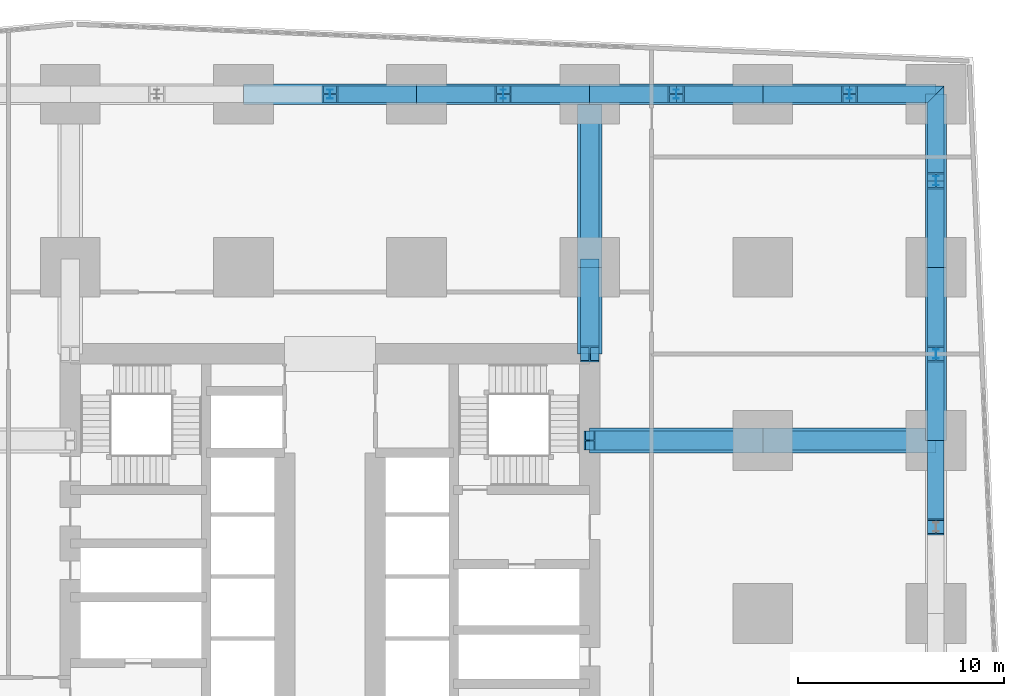
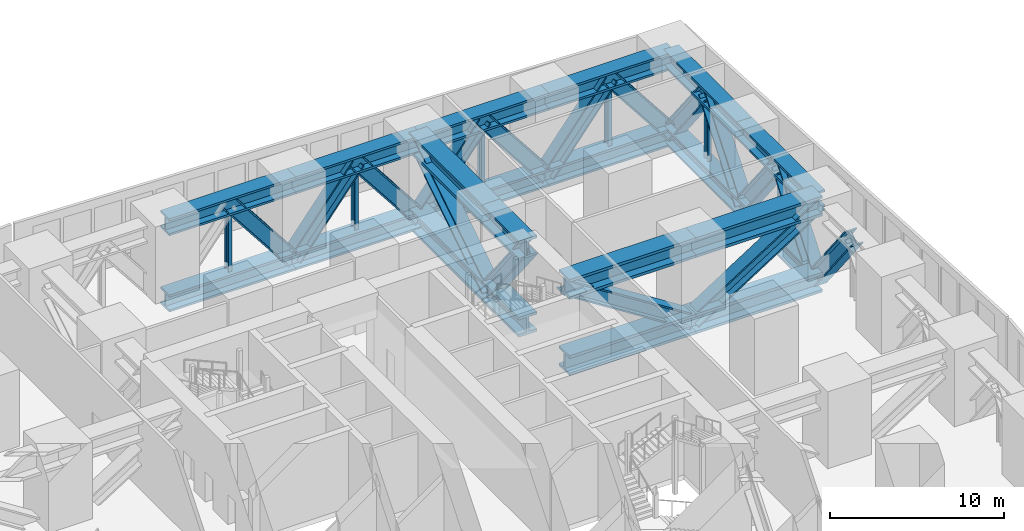
# One storey, part 7 of 16: 42 members.
"""IFC4 building model written with IfcOpenShell, lengths in metres."""

import ifcopenshell
import ifcopenshell.guid

model = None  # the IFC model being written
_history = None  # IfcOwnerHistory: only IFC2X3 demands one
_inside = {}  # id of a spatial element -> (the spatial element, [elements in it])
_under = {}  # id of a project, library or spatial element -> (it, [spatial elements below it])
_declared = {}  # id of a project -> (the project, [libraries it declares])
_typed = {}  # id of a type object -> (the type object, [elements of that type])
_made_of = {}  # id of a material, layer set ... -> (it, [elements and type objects made of it])


def new_model(schema):
    """Start an empty IFC model of exactly this schema.

    Asked for "IFC4X3", IfcOpenShell would pick the latest addendum, in which some entities
    have other attributes; the version numbers below select the first issue.
    IFC2X3 requires an IfcOwnerHistory on every rooted entity: one is made here for all.
    """
    global model, _history
    if schema == "IFC4X3":
        model = ifcopenshell.file(schema_version=(4, 3, 0, 0))
    else:
        model = ifcopenshell.file(schema=schema)
    _inside.clear()
    _under.clear()
    _declared.clear()
    _typed.clear()
    _made_of.clear()
    _history = None
    if model.schema == "IFC2X3":
        org = make("IfcOrganization", Name="unknown")
        user = make(
            "IfcPersonAndOrganization",
            ThePerson=make("IfcPerson", FamilyName="unknown"),
            TheOrganization=org,
        )
        app = make(
            "IfcApplication",
            ApplicationDeveloper=org,
            Version="unknown",
            ApplicationFullName="unknown",
            ApplicationIdentifier="unknown",
        )
        _history = make(
            "IfcOwnerHistory",
            OwningUser=user,
            OwningApplication=app,
            ChangeAction="ADDED",
            CreationDate=0,
        )
    return model


def make(cls, **values):
    """One entity of the class cls with the attributes given. An attribute that is None is left unset."""
    return model.create_entity(
        cls, **{name: value for name, value in values.items() if value is not None}
    )


def rooted(cls, **values):
    """An entity with a GlobalId (a new one), such as an element, a storey or a relation."""
    return make(cls, GlobalId=ifcopenshell.guid.new(), OwnerHistory=_history, **values)


def si_unit(unit_type, name, prefix=None):
    """IfcSIUnit, for example si_unit("LENGTHUNIT", "METRE", prefix="MILLI")."""
    return make("IfcSIUnit", UnitType=unit_type, Prefix=prefix, Name=name)


def assignment(units):
    """IfcUnitAssignment: the units of a project."""
    return None if units is None else make("IfcUnitAssignment", Units=units)


def point(xyz):
    """IfcCartesianPoint."""
    return None if xyz is None else make("IfcCartesianPoint", Coordinates=xyz)


def direction(xyz):
    """IfcDirection."""
    return None if xyz is None else make("IfcDirection", DirectionRatios=xyz)


def frame(location, z_axis=None, x_axis=None):
    """IfcAxis2Placement3D, a coordinate frame: its origin and axes. An axis left out is left unset."""
    return make(
        "IfcAxis2Placement3D",
        Location=point(location),
        Axis=direction(z_axis),
        RefDirection=direction(x_axis),
    )


def frame_2d(location, x_axis=None):
    """IfcAxis2Placement2D, a coordinate frame in the plane: its origin and x axis."""
    return make(
        "IfcAxis2Placement2D", Location=point(location), RefDirection=direction(x_axis)
    )


def origin():
    """The frame at (0, 0, 0) with its axes left unset."""
    return frame((0.0, 0.0, 0.0))


def origin_2d():
    """The frame at (0, 0) in the plane with its x axis left unset."""
    return frame_2d((0.0, 0.0))


def place(relative_to, where):
    """IfcLocalPlacement: puts the frame where relative to a parent placement (None: the world)."""
    return make(
        "IfcLocalPlacement", PlacementRelTo=relative_to, RelativePlacement=where
    )


def context(
    kind, dimensions, precision=None, world=None, true_north=None, identifier=None
):
    """IfcGeometricRepresentationContext, for example the 3D "Model" context."""
    return make(
        "IfcGeometricRepresentationContext",
        ContextIdentifier=identifier,
        ContextType=kind,
        CoordinateSpaceDimension=dimensions,
        Precision=precision,
        WorldCoordinateSystem=world,
        TrueNorth=true_north,
    )


def subcontext(parent, identifier, kind, view, scale=None):
    """IfcGeometricRepresentationSubContext, for example "Body" below "Model"."""
    return make(
        "IfcGeometricRepresentationSubContext",
        ContextIdentifier=identifier,
        ContextType=kind,
        ParentContext=parent,
        TargetScale=scale,
        TargetView=view,
    )


def project(units=None, contexts=None):
    """IfcProject with its units and contexts."""
    return rooted(
        "IfcProject",
        Name="project",
        RepresentationContexts=contexts,
        UnitsInContext=assignment(units),
    )


def spatial(cls, under=None, at=None, **own):
    """A site, building, storey or space (cls), placed at a placement, below another one or the project."""
    s = rooted(cls, ObjectPlacement=at, **own)
    if under is not None:
        _under.setdefault(under.id(), (under, []))[1].append(s)
    return s


def profile(cls, at=None, kind="AREA", **sizes):
    """A parametric profile (cls). Its sizes go by their IFC names, for example OverallWidth=200.0."""
    return make(cls, ProfileType=kind, Position=at, **sizes)


def i_section(**sizes):
    """IfcIShapeProfileDef."""
    return profile("IfcIShapeProfileDef", **sizes)


def extrude(swept, where, along, depth):
    """IfcExtrudedAreaSolid: the profile swept, set in the frame where, extruded along a direction by depth."""
    return make(
        "IfcExtrudedAreaSolid",
        SweptArea=swept,
        Position=where,
        ExtrudedDirection=direction(along),
        Depth=depth,
    )


def shape(context_of_items, identifier, shape_type, items):
    """IfcShapeRepresentation: the items that make up one representation, for example the "Body"."""
    return make(
        "IfcShapeRepresentation",
        ContextOfItems=context_of_items,
        RepresentationIdentifier=identifier,
        RepresentationType=shape_type,
        Items=items,
    )


def material(Name=None, Category=None):
    """IfcMaterial."""
    return make("IfcMaterial", Name=Name, Category=Category)


def material_profile(
    of_material, cross_section, Name=None, Category=None, Priority=None
):
    """IfcMaterialProfile: a cross section and its material."""
    return make(
        "IfcMaterialProfile",
        Name=Name,
        Material=of_material,
        Profile=cross_section,
        Priority=Priority,
        Category=Category,
    )


def profile_set(profiles, Name=None, composite=None):
    """IfcMaterialProfileSet."""
    return make(
        "IfcMaterialProfileSet",
        Name=Name,
        MaterialProfiles=profiles,
        CompositeProfile=composite,
    )


def made_of(thing, what):
    """Note that an element or type object is made of a material, layer set ...; save() writes the relation."""
    if what is not None:
        _made_of.setdefault(what.id(), (what, []))[1].append(thing)
    return thing


def type_object(cls, material=None, **own):
    """A type object (cls), such as IfcWallType, which elements share."""
    return made_of(rooted(cls, **own), material)


def element(
    cls,
    number,
    at=None,
    inside=None,
    cuts=None,
    type_object=None,
    material=None,
    context=None,
    identifier="Body",
    shape_type=None,
    held_by="IfcProductDefinitionShape",
    body=None,
    shapes=None,
    **own,
):
    """One element of the class cls, such as IfcWall. Its Tag is "e" and its number.

    at: its placement. inside: the storey or other place that contains it. cuts: it is an
    opening in that element (IfcRelVoidsElement). A single representation is given by context,
    identifier, shape_type and body (its items); several are given by shapes. held_by: the class
    of the entity that holds the representations. save() writes the other relations.
    """
    e = rooted(cls, Tag="e%d" % number, ObjectPlacement=at, **own)
    if body is not None:
        shapes = [shape(context, identifier, shape_type, body)]
    if shapes is not None:
        e.Representation = make(held_by, Representations=shapes)
    if inside is not None:
        _inside.setdefault(inside.id(), (inside, []))[1].append(e)
    if cuts is not None:
        rooted(
            "IfcRelVoidsElement", RelatingBuildingElement=cuts, RelatedOpeningElement=e
        )
    if type_object is not None:
        _typed.setdefault(type_object.id(), (type_object, []))[1].append(e)
    return made_of(e, material)


def aggregate(whole, parts):
    """IfcRelAggregates: a whole, such as a stair, and the parts it consists of."""
    return rooted("IfcRelAggregates", RelatingObject=whole, RelatedObjects=parts)


def save(model, path):
    """Write the relations noted so far, then the file.

    IfcRelAggregates (storeys below a building ...), IfcRelContainedInSpatialStructure (elements
    in a storey), IfcRelDefinesByType, IfcRelAssociatesMaterial and IfcRelDeclares: one each for
    every whole, place, type object, material and project.
    """
    for whole, parts in _under.values():
        aggregate(whole, parts)
    for where, things in _inside.values():
        rooted(
            "IfcRelContainedInSpatialStructure",
            RelatedElements=things,
            RelatingStructure=where,
        )
    for kind, things in _typed.values():
        rooted("IfcRelDefinesByType", RelatedObjects=things, RelatingType=kind)
    for what, things in _made_of.values():
        rooted("IfcRelAssociatesMaterial", RelatedObjects=things, RelatingMaterial=what)
    for by, libraries in _declared.values():
        rooted("IfcRelDeclares", RelatingContext=by, RelatedDefinitions=libraries)
    model.write(path)


model = new_model("IFC4")

# Units and contexts
model_context = context("Model", 3, precision=1e-05, world=origin(), true_north=direction((0.0, 1.0)))
body_context = subcontext(model_context, "Body", "Model", "MODEL_VIEW")
ifc_project = project(units=[si_unit("LENGTHUNIT", "METRE"), si_unit("AREAUNIT", "SQUARE_METRE"), si_unit("VOLUMEUNIT", "CUBIC_METRE"), si_unit("PLANEANGLEUNIT", "RADIAN"), si_unit("MASSUNIT", "GRAM", prefix="KILO")], contexts=[model_context])

# Site, building, storey
site_placement = place(None, origin())
site = spatial("IfcSite", under=ifc_project, at=site_placement, CompositionType="ELEMENT")
building_placement = place(site_placement, origin())
building = spatial("IfcBuilding", under=site, at=building_placement, Name="Rekha Terrace Tower", CompositionType="ELEMENT")
storey_placement = place(building_placement, frame((0.0, 0.0, 85.39990234375)))
storey = spatial("IfcBuildingStorey", under=building, at=storey_placement, Name="L21", CompositionType="ELEMENT", Elevation=85.39990234375)

# Members
ifc_material = material(Name="Steel E350", Category="steel")
ifc_material_profile_1 = material_profile(ifc_material, i_section(OverallWidth=1.0, OverallDepth=1.199951171875, WebThickness=0.110107421875, FlangeThickness=0.14990234375, at=origin_2d()), Name="BU 1200x1000x110x150")
ifc_profile_set_1 = profile_set([ifc_material_profile_1], Name="Steel E350")
member_type_1 = type_object("IfcMemberType", Name="BC21 BU 1200x1000x110x150 belt truss chord", PredefinedType="CHORD", material=ifc_profile_set_1)
for number, where, z_axis, x_axis, name in (
    (1, (67.199951171875, 42.0, 4.300048828125), (0.0, 1.0, 0.0), (-1.0, 0.0, 0.0), "Belt top chord 9F-9G L21"),
    (2, (67.199951171875, 42.0, -1.0498046875), (0.0, 1.0, 0.0), (-1.0, 0.0, 0.0), "Belt bottom chord 9F-9G L21"),
):
    element("IfcMember", number, at=place(storey_placement, frame(where, z_axis=z_axis, x_axis=x_axis)), inside=storey, type_object=member_type_1, Name=name, PredefinedType="CHORD", context=body_context, shape_type="SweptSolid", body=[
        extrude(i_section(OverallWidth=1.0, OverallDepth=1.199951171875, WebThickness=0.110107421875, FlangeThickness=0.14990234375, at=origin_2d()), origin(), (0.0, 0.0, 1.0), 8.39990234375),
    ])
for number, where, z_axis, x_axis, name in (
    (3, (67.199951171875, 50.39990234375, 4.300048828125), (0.0, 1.0, 0.0), (-1.0, 0.0, 0.0), "Belt top chord 9G-9H L21"),
    (4, (67.199951171875, 50.39990234375, -1.0498046875), (0.0, 1.0, 0.0), (-1.0, 0.0, 0.0), "Belt bottom chord 9G-9H L21"),
):
    element("IfcMember", number, at=place(storey_placement, frame(where, z_axis=z_axis, x_axis=x_axis)), inside=storey, type_object=member_type_1, Name=name, PredefinedType="CHORD", context=body_context, shape_type="SweptSolid", body=[
        extrude(i_section(OverallWidth=1.0, OverallDepth=1.199951171875, WebThickness=0.110107421875, FlangeThickness=0.14990234375, at=origin_2d()), origin(), (0.0, 0.0, 1.0), 8.400146484375),
    ])
for number, where, z_axis, x_axis, name in (
    (5, (67.199951171875, 58.800048828125, 4.300048828125), (-1.0, 0.0, 0.0), (0.0, -1.0, 0.0), "Belt top chord 9H-8H L21"),
    (6, (67.199951171875, 58.800048828125, -1.0498046875), (-1.0, 0.0, 0.0), (0.0, -1.0, 0.0), "Belt bottom chord 9H-8H L21"),
):
    element("IfcMember", number, at=place(storey_placement, frame(where, z_axis=z_axis, x_axis=x_axis)), inside=storey, type_object=member_type_1, Name=name, PredefinedType="CHORD", context=body_context, shape_type="SweptSolid", body=[
        extrude(i_section(OverallWidth=1.0, OverallDepth=1.199951171875, WebThickness=0.110107421875, FlangeThickness=0.14990234375, at=origin_2d()), origin(), (0.0, 0.0, 1.0), 8.39990234375),
    ])
for number, where, z_axis, x_axis, name in (
    (7, (58.800048828125, 58.800048828125, 4.300048828125), (-1.0, 0.0, 0.0), (0.0, -1.0, 0.0), "Belt top chord 8H-7H L21"),
    (8, (58.800048828125, 58.800048828125, -1.0498046875), (-1.0, 0.0, 0.0), (0.0, -1.0, 0.0), "Belt bottom chord 8H-7H L21"),
):
    element("IfcMember", number, at=place(storey_placement, frame(where, z_axis=z_axis, x_axis=x_axis)), inside=storey, type_object=member_type_1, Name=name, PredefinedType="CHORD", context=body_context, shape_type="SweptSolid", body=[
        extrude(i_section(OverallWidth=1.0, OverallDepth=1.199951171875, WebThickness=0.110107421875, FlangeThickness=0.14990234375, at=origin_2d()), origin(), (0.0, 0.0, 1.0), 8.400146484375),
    ])
for number, where, z_axis, x_axis, name in (
    (9, (50.39990234375, 58.800048828125, 4.300048828125), (-1.0, 0.0, 0.0), (0.0, -1.0, 0.0), "Belt top chord 7H-6H L21"),
    (10, (50.39990234375, 58.800048828125, -1.0498046875), (-1.0, 0.0, 0.0), (0.0, -1.0, 0.0), "Belt bottom chord 7H-6H L21"),
    (11, (42.0, 58.800048828125, 4.300048828125), (-1.0, 0.0, 0.0), (0.0, -1.0, 0.0), "Belt top chord 6H-5H L21"),
    (12, (42.0, 58.800048828125, -1.0498046875), (-1.0, 0.0, 0.0), (0.0, -1.0, 0.0), "Belt bottom chord 6H-5H L21"),
):
    element("IfcMember", number, at=place(storey_placement, frame(where, z_axis=z_axis, x_axis=x_axis)), inside=storey, type_object=member_type_1, Name=name, PredefinedType="CHORD", context=body_context, shape_type="SweptSolid", body=[
        extrude(i_section(OverallWidth=1.0, OverallDepth=1.199951171875, WebThickness=0.110107421875, FlangeThickness=0.14990234375, at=origin_2d()), origin(), (0.0, 0.0, 1.0), 8.39990234375),
    ])
ifc_material_profile_2 = material_profile(ifc_material, i_section(OverallWidth=0.800048828125, OverallDepth=1.0, WebThickness=0.050048828125, FlangeThickness=0.090087890625, at=origin_2d()), Name="BU 1000x800x50x90")
ifc_profile_set_2 = profile_set([ifc_material_profile_2], Name="Steel E350")
member_type_2 = type_object("IfcMemberType", Name="BD21 BU 1000x800x50x90 belt truss diagonal", PredefinedType="BRACE", material=ifc_profile_set_2)
for number, where, z_axis, x_axis, name in (
    (13, (67.199951171875, 42.0, -1.0498046875), (0.0, -0.617502861702, 0.786568633871), (1.0, 0.0, 0.0), "Belt diagonal 9E-9F L21"),
    (14, (67.199951171875, 42.0, -1.0498046875), (0.0, 0.617502861702, 0.786568633871), (-1.0, 0.0, 0.0), "Belt diagonal 9F-9G L21"),
    (15, (67.199951171875, 50.39990234375, -1.0498046875), (0.0, -0.617502861702, 0.786568633871), (1.0, 0.0, 0.0), "Belt diagonal 9F-9G L21"),
):
    element("IfcMember", number, at=place(storey_placement, frame(where, z_axis=z_axis, x_axis=x_axis)), inside=storey, type_object=member_type_2, Name=name, PredefinedType="BRACE", context=body_context, shape_type="SweptSolid", body=[
        extrude(i_section(OverallWidth=0.800048828125, OverallDepth=1.0, WebThickness=0.050048828125, FlangeThickness=0.090087890625, at=origin_2d()), origin(), (0.0, 0.0, 1.0), 6.801513671875),
    ])
member_1_placement = place(storey_placement, frame((67.199951171875, 50.39990234375, -1.0498046875), z_axis=(0.0, 0.617525068892, 0.786551199408), x_axis=(-1.0, 0.0, 0.0)))
element("IfcMember", 16, at=member_1_placement, inside=storey, type_object=member_type_2, Name="Belt diagonal 9G-9H L21", PredefinedType="BRACE", context=body_context, shape_type="SweptSolid", body=[
    extrude(i_section(OverallWidth=0.800048828125, OverallDepth=1.0, WebThickness=0.050048828125, FlangeThickness=0.090087890625, at=origin_2d()), origin(), (0.0, 0.0, 1.0), 6.8017578125),
])
for number, where, z_axis, x_axis, name in (
    (17, (67.199951171875, 58.800048828125, -1.0498046875), (0.0, -0.617502861702, 0.786568633871), (1.0, 0.0, 0.0), "Belt diagonal 9G-9H L21"),
    (18, (67.199951171875, 58.800048828125, -1.0498046875), (-0.617502861702, 0.0, 0.786568633871), (0.0, -1.0, 0.0), "Belt diagonal 9H-8H L21"),
    (19, (58.800048828125, 58.800048828125, -1.0498046875), (0.617502861702, 0.0, 0.786568633871), (0.0, 1.0, 0.0), "Belt diagonal 9H-8H L21"),
    (20, (58.800048828125, 58.800048828125, -1.0498046875), (-0.617502861702, 0.0, 0.786568633871), (0.0, -1.0, 0.0), "Belt diagonal 8H-7H L21"),
):
    element("IfcMember", number, at=place(storey_placement, frame(where, z_axis=z_axis, x_axis=x_axis)), inside=storey, type_object=member_type_2, Name=name, PredefinedType="BRACE", context=body_context, shape_type="SweptSolid", body=[
        extrude(i_section(OverallWidth=0.800048828125, OverallDepth=1.0, WebThickness=0.050048828125, FlangeThickness=0.090087890625, at=origin_2d()), origin(), (0.0, 0.0, 1.0), 6.801513671875),
    ])
member_2_placement = place(storey_placement, frame((50.39990234375, 58.800048828125, -1.0498046875), z_axis=(0.617525068892, 0.0, 0.786551199408), x_axis=(0.0, 1.0, 0.0)))
element("IfcMember", 21, at=member_2_placement, inside=storey, type_object=member_type_2, Name="Belt diagonal 8H-7H L21", PredefinedType="BRACE", context=body_context, shape_type="SweptSolid", body=[
    extrude(i_section(OverallWidth=0.800048828125, OverallDepth=1.0, WebThickness=0.050048828125, FlangeThickness=0.090087890625, at=origin_2d()), origin(), (0.0, 0.0, 1.0), 6.8017578125),
])
for number, where, z_axis, x_axis, name in (
    (22, (50.39990234375, 58.800048828125, -1.0498046875), (-0.617502861702, 0.0, 0.786568633871), (0.0, -1.0, 0.0), "Belt diagonal 7H-6H L21"),
    (23, (42.0, 58.800048828125, -1.0498046875), (0.617502861702, 0.0, 0.786568633871), (0.0, 1.0, 0.0), "Belt diagonal 7H-6H L21"),
    (24, (42.0, 58.800048828125, -1.0498046875), (-0.617502861702, 0.0, 0.786568633871), (0.0, -1.0, 0.0), "Belt diagonal 6H-5H L21"),
):
    element("IfcMember", number, at=place(storey_placement, frame(where, z_axis=z_axis, x_axis=x_axis)), inside=storey, type_object=member_type_2, Name=name, PredefinedType="BRACE", context=body_context, shape_type="SweptSolid", body=[
        extrude(i_section(OverallWidth=0.800048828125, OverallDepth=1.0, WebThickness=0.050048828125, FlangeThickness=0.090087890625, at=origin_2d()), origin(), (0.0, 0.0, 1.0), 6.801513671875),
    ])
ifc_material_profile_3 = material_profile(ifc_material, i_section(OverallWidth=0.25, OverallDepth=0.449951171875, WebThickness=0.01123046875, FlangeThickness=0.017333984375, FilletRadius=0.014892578125, at=origin_2d()), Name="ISHB 450")
ifc_profile_set_3 = profile_set([ifc_material_profile_3], Name="Steel E350")
member_type_3 = type_object("IfcMemberType", Name="BV21 ISHB 450 belt truss post", PredefinedType="POST", material=ifc_profile_set_3)
for number, where, z_axis, x_axis, name in (
    (25, (67.199951171875, 46.199951171875, -0.449951171875), (0.0, 0.0, 1.0), (1.0, 0.0, 0.0), "Belt post 9F-9G L21"),
    (26, (67.199951171875, 54.60009765625, -0.449951171875), (0.0, 0.0, 1.0), (1.0, 0.0, 0.0), "Belt post 9G-9H L21"),
    (27, (63.0, 58.800048828125, -0.449951171875), (0.0, 0.0, 1.0), (1.0, 0.0, 0.0), "Belt post 9H-8H L21"),
    (28, (54.60009765625, 58.800048828125, -0.449951171875), (0.0, 0.0, 1.0), (1.0, 0.0, 0.0), "Belt post 8H-7H L21"),
    (29, (46.199951171875, 58.800048828125, -0.449951171875), (0.0, 0.0, 1.0), (1.0, 0.0, 0.0), "Belt post 7H-6H L21"),
    (30, (37.800048828125, 58.800048828125, -0.449951171875), (0.0, 0.0, 1.0), (1.0, 0.0, 0.0), "Belt post 6H-5H L21"),
):
    element("IfcMember", number, at=place(storey_placement, frame(where, z_axis=z_axis, x_axis=x_axis)), inside=storey, type_object=member_type_3, Name=name, PredefinedType="POST", context=body_context, shape_type="SweptSolid", body=[
        extrude(i_section(OverallWidth=0.25, OverallDepth=0.449951171875, WebThickness=0.01123046875, FlangeThickness=0.017333984375, FilletRadius=0.014892578125, at=origin_2d()), origin(), (0.0, 0.0, 1.0), 4.150146484375),
    ])
ifc_material_profile_4 = material_profile(ifc_material, i_section(OverallWidth=1.199951171875, OverallDepth=1.39990234375, WebThickness=0.139892578125, FlangeThickness=0.18994140625, at=origin_2d()), Name="BU 1400x1200x140x190")
ifc_profile_set_4 = profile_set([ifc_material_profile_4], Name="Steel E350")
member_type_4 = type_object("IfcMemberType", Name="OC21 BU 1400x1200x140x190 outrigger chord", PredefinedType="CHORD", material=ifc_profile_set_4)
for number, where, z_axis, x_axis, name in (
    (31, (50.39990234375, 42.0, 4.300048828125), (1.0, 0.0, 0.0), (0.0, 1.0, 0.0), "Outrigger top chord EF-1 L21"),
    (32, (50.39990234375, 42.0, -1.0498046875), (1.0, 0.0, 0.0), (0.0, 1.0, 0.0), "Outrigger bottom chord EF-1 L21"),
):
    element("IfcMember", number, at=place(storey_placement, frame(where, z_axis=z_axis, x_axis=x_axis)), inside=storey, type_object=member_type_4, Name=name, PredefinedType="CHORD", context=body_context, shape_type="SweptSolid", body=[
        extrude(i_section(OverallWidth=1.199951171875, OverallDepth=1.39990234375, WebThickness=0.139892578125, FlangeThickness=0.18994140625, at=origin_2d()), origin(), (0.0, 0.0, 1.0), 8.400146484375),
    ])
for number, where, z_axis, x_axis, name in (
    (33, (58.800048828125, 42.0, 4.300048828125), (1.0, 0.0, 0.0), (0.0, 1.0, 0.0), "Outrigger top chord EF-2 L21"),
    (34, (58.800048828125, 42.0, -1.0498046875), (1.0, 0.0, 0.0), (0.0, 1.0, 0.0), "Outrigger bottom chord EF-2 L21"),
):
    element("IfcMember", number, at=place(storey_placement, frame(where, z_axis=z_axis, x_axis=x_axis)), inside=storey, type_object=member_type_4, Name=name, PredefinedType="CHORD", context=body_context, shape_type="SweptSolid", body=[
        extrude(i_section(OverallWidth=1.199951171875, OverallDepth=1.39990234375, WebThickness=0.139892578125, FlangeThickness=0.18994140625, at=origin_2d()), origin(), (0.0, 0.0, 1.0), 8.39990234375),
    ])
for number, where, z_axis, x_axis, name in (
    (35, (50.39990234375, 46.199951171875, 4.300048828125), (0.0, 1.0, 0.0), (-1.0, 0.0, 0.0), "Outrigger top chord N7-1 L21"),
    (36, (50.39990234375, 46.199951171875, -1.0498046875), (0.0, 1.0, 0.0), (-1.0, 0.0, 0.0), "Outrigger bottom chord N7-1 L21"),
):
    element("IfcMember", number, at=place(storey_placement, frame(where, z_axis=z_axis, x_axis=x_axis)), inside=storey, type_object=member_type_4, Name=name, PredefinedType="CHORD", context=body_context, shape_type="SweptSolid", body=[
        extrude(i_section(OverallWidth=1.199951171875, OverallDepth=1.39990234375, WebThickness=0.139892578125, FlangeThickness=0.18994140625, at=origin_2d()), origin(), (0.0, 0.0, 1.0), 4.199951171875),
    ])
for number, where, z_axis, x_axis, name in (
    (37, (50.39990234375, 50.39990234375, 4.300048828125), (0.0, 1.0, 0.0), (-1.0, 0.0, 0.0), "Outrigger top chord N7-2 L21"),
    (38, (50.39990234375, 50.39990234375, -1.0498046875), (0.0, 1.0, 0.0), (-1.0, 0.0, 0.0), "Outrigger bottom chord N7-2 L21"),
):
    element("IfcMember", number, at=place(storey_placement, frame(where, z_axis=z_axis, x_axis=x_axis)), inside=storey, type_object=member_type_4, Name=name, PredefinedType="CHORD", context=body_context, shape_type="SweptSolid", body=[
        extrude(i_section(OverallWidth=1.199951171875, OverallDepth=1.39990234375, WebThickness=0.139892578125, FlangeThickness=0.18994140625, at=origin_2d()), origin(), (0.0, 0.0, 1.0), 8.400146484375),
    ])
ifc_material_profile_5 = material_profile(ifc_material, i_section(OverallWidth=0.89990234375, OverallDepth=1.0, WebThickness=0.06005859375, FlangeThickness=0.10009765625, at=origin_2d()), Name="BU 1000x900x60x100")
ifc_profile_set_5 = profile_set([ifc_material_profile_5], Name="Steel E350")
member_type_5 = type_object("IfcMemberType", Name="OD21 BU 1000x900x60x100 outrigger diagonal", PredefinedType="BRACE", material=ifc_profile_set_5)
for number, where, z_axis, x_axis, name in (
    (39, (50.39990234375, 42.0, 4.300048828125), (0.843465605129, 0.0, -0.537183183806), (0.0, 1.0, 0.0), "Outrigger diagonal EF-1 L21"),
    (40, (58.800048828125, 42.0, -1.0498046875), (0.843458530905, 0.0, 0.537194291336), (0.0, 1.0, 0.0), "Outrigger diagonal EF-2 L21"),
):
    element("IfcMember", number, at=place(storey_placement, frame(where, z_axis=z_axis, x_axis=x_axis)), inside=storey, type_object=member_type_5, Name=name, PredefinedType="BRACE", context=body_context, shape_type="SweptSolid", body=[
        extrude(i_section(OverallWidth=0.89990234375, OverallDepth=1.0, WebThickness=0.06005859375, FlangeThickness=0.10009765625, at=origin_2d()), origin(), (0.0, 0.0, 1.0), 9.958984375),
    ])
member_3_placement = place(storey_placement, frame((50.39990234375, 46.199951171875, 4.300048828125), z_axis=(0.0, 0.617502861702, -0.786568633871), x_axis=(-1.0, 0.0, 0.0)))
element("IfcMember", 41, at=member_3_placement, inside=storey, type_object=member_type_5, Name="Outrigger diagonal N7-1 L21", PredefinedType="BRACE", context=body_context, shape_type="SweptSolid", body=[
    extrude(i_section(OverallWidth=0.89990234375, OverallDepth=1.0, WebThickness=0.06005859375, FlangeThickness=0.10009765625, at=origin_2d()), origin(), (0.0, 0.0, 1.0), 6.801513671875),
])
member_4_placement = place(storey_placement, frame((50.39990234375, 50.39990234375, -1.0498046875), z_axis=(0.0, 0.843465605129, 0.537183183806), x_axis=(-1.0, 0.0, 0.0)))
element("IfcMember", 42, at=member_4_placement, inside=storey, type_object=member_type_5, Name="Outrigger diagonal N7-2 L21", PredefinedType="BRACE", context=body_context, shape_type="SweptSolid", body=[
    extrude(i_section(OverallWidth=0.89990234375, OverallDepth=1.0, WebThickness=0.06005859375, FlangeThickness=0.10009765625, at=origin_2d()), origin(), (0.0, 0.0, 1.0), 9.958984375),
])

save(model, "model.ifc")
